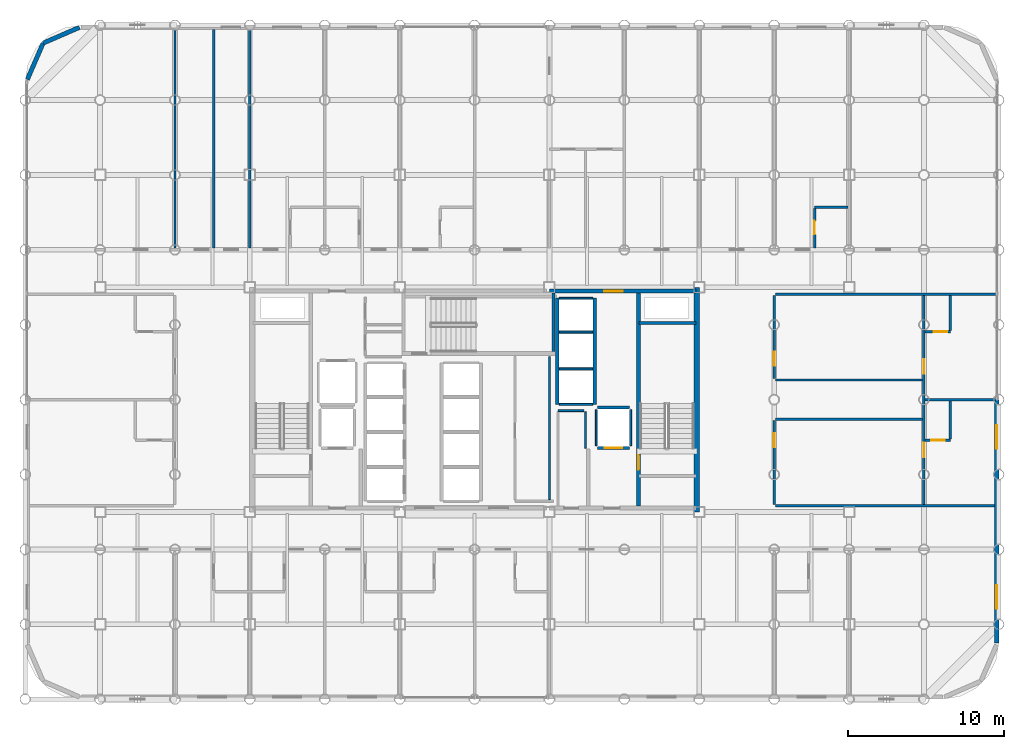
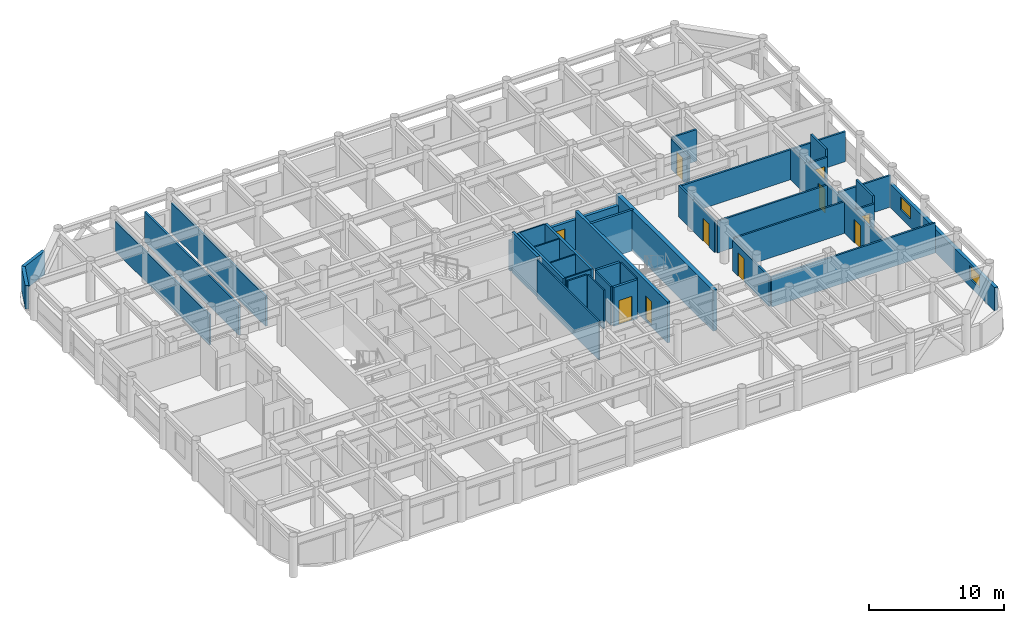
# One storey, part 20 of 22: 38 walls, 10 doors, 2 windows, 12 openings.
"""IFC4 building model written with IfcOpenShell, lengths in metres."""

from ifc_helpers import new_model, si_unit, direction, frame, frame_2d, origin, place, context, subcontext, project, spatial, rectangle, extrude, material, layer, layer_set, type_object, element, fill, save


model = new_model("IFC4")

# Units and contexts
model_context = context("Model", 3, precision=1e-05, world=origin(), true_north=direction((0.0, 1.0)))
body_context = subcontext(model_context, "Body", "Model", "MODEL_VIEW")
ifc_project = project(units=[si_unit("LENGTHUNIT", "METRE"), si_unit("AREAUNIT", "SQUARE_METRE"), si_unit("VOLUMEUNIT", "CUBIC_METRE"), si_unit("PLANEANGLEUNIT", "RADIAN"), si_unit("MASSUNIT", "GRAM", prefix="KILO")], contexts=[model_context])

# Site, building, storey
site_placement = place(None, origin())
site = spatial("IfcSite", under=ifc_project, at=site_placement, CompositionType="ELEMENT")
building_placement = place(site_placement, origin())
building = spatial("IfcBuilding", under=site, at=building_placement, Name="Kallvorn Hotel Tower", CompositionType="ELEMENT")
storey_placement = place(building_placement, frame((0.0, 0.0, 113.699951171875)))
storey = spatial("IfcBuildingStorey", under=building, at=storey_placement, Name="L27", CompositionType="ELEMENT", Elevation=113.699951171875)

# Walls
ifc_material_1 = material(Name="Concrete C50/60", Category="concrete")
ifc_layer_1 = layer(ifc_material_1, 0.35009765625)
ifc_layer_set_1 = layer_set([ifc_layer_1], Name="WL_CORE_350")
wall_type_1 = type_object("IfcWallType", Name="WL_CORE_350", PredefinedType="SHEAR", material=ifc_layer_set_1)
wall_1_placement = place(storey_placement, frame((14.239990234375, -7.199951171875, -0.179931640625), z_axis=(0.0, 0.0, 1.0), x_axis=(0.0, 1.0, 0.0)))
element("IfcWall", 1, at=wall_1_placement, inside=storey, type_object=wall_type_1, Name="L27 Core East Shear Wall", PredefinedType="SHEAR", context=body_context, shape_type="SweptSolid", body=[
    extrude(rectangle(XDim=14.39990234375, YDim=0.35009765625, at=frame_2d((7.199951171875, 0.0))), origin(), (0.0, 0.0, 1.0), 3.699951171875),
])
ifc_material_2 = material(Name="Fire-rated double-layer acoustic gypsum drywall EI 60")
ifc_layer_2 = layer(ifc_material_2, 0.159912109375)
ifc_layer_set_2 = layer_set([ifc_layer_2], Name="WL_DEMISE_160")
wall_type_2 = type_object("IfcWallType", Name="WL_DEMISE_160", PredefinedType="PARTITIONING", material=ifc_layer_set_2)
wall_2_placement = place(storey_placement, frame((19.280029296875, -6.800048828125, 0.0), z_axis=(0.0, 0.0, 1.0), x_axis=(1.0, 0.0, 0.0)))
element("IfcWall", 2, at=wall_2_placement, inside=storey, type_object=wall_type_2, Name="L27 Suite 2703 E Loggia King Room Partition", PredefinedType="PARTITIONING", context=body_context, shape_type="SweptSolid", body=[
    extrude(rectangle(XDim=14.030029296875, YDim=0.159912109375, at=frame_2d((7.01513671875, 0.0))), origin(), (0.0, 0.0, 1.0), 2.719970703125),
])

# Wall, opening, door
wall_3_placement = place(storey_placement, frame((28.8798828125, -2.60009765625, 0.0), z_axis=(0.0, 0.0, 1.0), x_axis=(1.0, 0.0, 0.0)))
wall_3 = element("IfcWall", 3, at=wall_3_placement, inside=storey, type_object=wall_type_2, Name="L27 Suite 2703 E Loggia King Room Partition", PredefinedType="PARTITIONING", context=body_context, shape_type="SweptSolid", body=[
    extrude(rectangle(XDim=1.6201171875, YDim=0.159912109375, at=frame_2d((0.81005859375, 0.0))), origin(), (0.0, 0.0, 1.0), 2.8701171875),
])
opening_1_placement = place(wall_3_placement, frame((0.3798828125, 0.0, 0.0)))
opening_1 = element("IfcOpeningElement", 4, at=opening_1_placement, cuts=wall_3, Name="Opening BD-I", PredefinedType="OPENING", context=body_context, shape_type="SweptSolid", body=[
    extrude(rectangle(XDim=0.860107421875, YDim=2.10009765625, at=frame_2d((0.43017578125, 1.050048828125))), frame((0.0, 0.094970703125, 0.0), z_axis=(0.0, -1.0, 0.0), x_axis=(1.0, 0.0, 0.0)), (0.0, 0.0, 1.0), 0.18994140625),
])
ifc_material_3 = material(Name="Solid-core walnut veneer fire-rated timber door leaf", Category="wood")
door_type_1 = type_object("IfcDoorType", Name="DR_BATH_860x2100", OperationType="NOTDEFINED", PredefinedType="DOOR", material=ifc_material_3)
door_1_placement = place(opening_1_placement, origin())
door_1 = element("IfcDoor", 5, at=door_1_placement, inside=storey, type_object=door_type_1, Name="L27 Suite 2703 En-Suite Bathroom Door", OperationType="SINGLE_SWING_LEFT", OverallHeight=2.10009765625, OverallWidth=0.860107421875, PredefinedType="DOOR", context=body_context, shape_type="SweptSolid", body=[
    extrude(rectangle(XDim=0.860107421875, YDim=2.10009765625, at=frame_2d((0.43017578125, 1.050048828125))), frame((0.0, 0.02490234375, 0.0), z_axis=(0.0, -1.0, 0.0), x_axis=(1.0, 0.0, 0.0)), (0.0, 0.0, 1.0), 0.050048828125),
])
fill(opening_1, door_1)

# Wall
wall_4_placement = place(storey_placement, frame((28.8798828125, 0.0, 0.0), z_axis=(0.0, 0.0, 1.0), x_axis=(1.0, 0.0, 0.0)))
element("IfcWall", 6, at=wall_4_placement, inside=storey, type_object=wall_type_2, Name="L27 Suite 2704 E Andean Twin Room Partition", PredefinedType="PARTITIONING", context=body_context, shape_type="SweptSolid", body=[
    extrude(rectangle(XDim=4.550048828125, YDim=0.159912109375, at=frame_2d((2.27490234375, 0.0))), origin(), (0.0, 0.0, 1.0), 2.8701171875),
])

# Wall, opening, door
wall_5_placement = place(storey_placement, frame((28.8798828125, 4.35009765625, 0.0), z_axis=(0.0, 0.0, 1.0), x_axis=(1.0, 0.0, 0.0)))
wall_5 = element("IfcWall", 7, at=wall_5_placement, inside=storey, type_object=wall_type_2, Name="L27 Suite 2704 E Andean Twin Room Partition", PredefinedType="PARTITIONING", context=body_context, shape_type="SweptSolid", body=[
    extrude(rectangle(XDim=1.6201171875, YDim=0.159912109375, at=frame_2d((0.81005859375, 0.0))), origin(), (0.0, 0.0, 1.0), 2.8701171875),
])
opening_2_placement = place(wall_5_placement, frame((0.5400390625, 0.0, 0.0)))
opening_2 = element("IfcOpeningElement", 8, at=opening_2_placement, cuts=wall_5, Name="Opening BD-I", PredefinedType="OPENING", context=body_context, shape_type="SweptSolid", body=[
    extrude(rectangle(XDim=0.860107421875, YDim=2.10009765625, at=frame_2d((0.43017578125, 1.050048828125))), frame((0.0, 0.094970703125, 0.0), z_axis=(0.0, -1.0, 0.0), x_axis=(1.0, 0.0, 0.0)), (0.0, 0.0, 1.0), 0.18994140625),
])
door_2_placement = place(opening_2_placement, origin())
door_2 = element("IfcDoor", 9, at=door_2_placement, inside=storey, type_object=door_type_1, Name="L27 Suite 2704 En-Suite Bathroom Door", OperationType="SINGLE_SWING_RIGHT", OverallHeight=2.10009765625, OverallWidth=0.860107421875, PredefinedType="DOOR", context=body_context, shape_type="SweptSolid", body=[
    extrude(rectangle(XDim=0.860107421875, YDim=2.10009765625, at=frame_2d((0.43017578125, 1.050048828125))), frame((0.0, 0.02490234375, 0.0), z_axis=(0.0, -1.0, 0.0), x_axis=(1.0, 0.0, 0.0)), (0.0, 0.0, 1.0), 0.050048828125),
])
fill(opening_2, door_2)

# Walls
wall_6_placement = place(storey_placement, frame((19.280029296875, 6.75830078125, 0.0), z_axis=(0.0, 0.0, 1.0), x_axis=(1.0, 0.0, 0.0)))
element("IfcWall", 10, at=wall_6_placement, inside=storey, type_object=wall_type_2, Name="L27 Suite 2704 E Andean Twin Room Partition", PredefinedType="PARTITIONING", context=body_context, shape_type="SweptSolid", body=[
    extrude(rectangle(XDim=14.14990234375, YDim=0.159912109375, at=frame_2d((7.074951171875, 0.0))), origin(), (0.0, 0.0, 1.0), 2.719970703125),
])
wall_7_placement = place(storey_placement, frame((21.7900390625, 12.320068359375, 0.0), z_axis=(0.0, 0.0, 1.0), x_axis=(1.0, 0.0, 0.0)))
element("IfcWall", 11, at=wall_7_placement, inside=storey, type_object=wall_type_2, Name="L27 Suite 2715 Standard Twin Room Partition", PredefinedType="PARTITIONING", context=body_context, shape_type="SweptSolid", body=[
    extrude(rectangle(XDim=2.1298828125, YDim=0.159912109375, at=frame_2d((1.06494140625, 0.0))), origin(), (0.0, 0.0, 1.0), 2.8701171875),
])
wall_8_placement = place(storey_placement, frame((-14.39990234375, 9.719970703125, 0.0), z_axis=(0.0, 0.0, 1.0), x_axis=(0.0, 1.0, 0.0)))
element("IfcWall", 12, at=wall_8_placement, inside=storey, type_object=wall_type_2, Name="L27 Suite 2711 Standard Twin Room Partition", PredefinedType="PARTITIONING", context=body_context, shape_type="SweptSolid", body=[
    extrude(rectangle(XDim=13.989990234375, YDim=0.159912109375, at=frame_2d((6.9951171875, 0.0))), origin(), (0.0, 0.0, 1.0), 2.719970703125),
])

# Wall, opening, door
wall_9_placement = place(storey_placement, frame((21.7900390625, 9.719970703125, 0.0), z_axis=(0.0, 0.0, 1.0), x_axis=(0.0, 1.0, 0.0)))
wall_9 = element("IfcWall", 13, at=wall_9_placement, inside=storey, type_object=wall_type_2, Name="L27 Suite 2715 Standard Twin Room Partition", PredefinedType="PARTITIONING", context=body_context, shape_type="SweptSolid", body=[
    extrude(rectangle(XDim=2.51513671875, YDim=0.159912109375, at=frame_2d((1.257568359375, 0.0))), origin(), (0.0, 0.0, 1.0), 2.719970703125),
])
opening_3_placement = place(wall_9_placement, frame((0.8701171875, 0.0, 0.0)))
opening_3 = element("IfcOpeningElement", 14, at=opening_3_placement, cuts=wall_9, Name="Opening BD-I", PredefinedType="OPENING", context=body_context, shape_type="SweptSolid", body=[
    extrude(rectangle(XDim=0.860107421875, YDim=2.10009765625, at=frame_2d((0.43017578125, 1.050048828125))), frame((0.0, 0.094970703125, 0.0), z_axis=(0.0, -1.0, 0.0), x_axis=(1.0, 0.0, 0.0)), (0.0, 0.0, 1.0), 0.18994140625),
])
door_3_placement = place(opening_3_placement, origin())
door_3 = element("IfcDoor", 15, at=door_3_placement, inside=storey, type_object=door_type_1, Name="L27 Suite 2715 En-Suite Bathroom Door", OperationType="SINGLE_SWING_LEFT", OverallHeight=2.10009765625, OverallWidth=0.860107421875, PredefinedType="DOOR", context=body_context, shape_type="SweptSolid", body=[
    extrude(rectangle(XDim=0.860107421875, YDim=2.10009765625, at=frame_2d((0.43017578125, 1.050048828125))), frame((0.0, 0.02490234375, 0.0), z_axis=(0.0, -1.0, 0.0), x_axis=(1.0, 0.0, 0.0)), (0.0, 0.0, 1.0), 0.050048828125),
])
fill(opening_3, door_3)

# Wall, openings, doors
wall_10_placement = place(storey_placement, frame((28.800048828125, -6.715087890625, 0.0), z_axis=(0.0, 0.0, 1.0), x_axis=(0.0, 1.0, 0.0)))
wall_10 = element("IfcWall", 16, at=wall_10_placement, inside=storey, type_object=wall_type_2, Name="L27 Suite 2703 E Loggia King Room Partition", PredefinedType="PARTITIONING", context=body_context, shape_type="SweptSolid", body=[
    extrude(rectangle(XDim=13.388427734375, YDim=0.159912109375, at=frame_2d((6.6943359375, 0.0))), origin(), (0.0, 0.0, 1.0), 2.8701171875),
])
opening_4_placement = place(wall_10_placement, frame((3.034912109375, 0.0, 0.0)))
opening_4 = element("IfcOpeningElement", 17, at=opening_4_placement, cuts=wall_10, Name="Opening GD1", PredefinedType="OPENING", context=body_context, shape_type="SweptSolid", body=[
    extrude(rectangle(XDim=0.919921875, YDim=2.14990234375, at=frame_2d((0.4599609375, 1.074951171875))), frame((0.0, 0.094970703125, 0.0), z_axis=(0.0, -1.0, 0.0), x_axis=(1.0, 0.0, 0.0)), (0.0, 0.0, 1.0), 0.18994140625),
])
opening_5_placement = place(wall_10_placement, frame((8.385009765625, 0.0, 0.0)))
opening_5 = element("IfcOpeningElement", 18, at=opening_5_placement, cuts=wall_10, Name="Opening GD1", PredefinedType="OPENING", context=body_context, shape_type="SweptSolid", body=[
    extrude(rectangle(XDim=0.919921875, YDim=2.14990234375, at=frame_2d((0.4599609375, 1.074951171875))), frame((0.0, 0.094970703125, 0.0), z_axis=(0.0, -1.0, 0.0), x_axis=(1.0, 0.0, 0.0)), (0.0, 0.0, 1.0), 0.18994140625),
])
ifc_material_4 = material(Name="Solid-core walnut veneer fire-rated timber door leaf", Category="wood")
door_type_2 = type_object("IfcDoorType", Name="DR_GUEST_920x2150", OperationType="NOTDEFINED", PredefinedType="DOOR", material=ifc_material_4)
door_4_placement = place(opening_4_placement, origin())
door_4 = element("IfcDoor", 19, at=door_4_placement, inside=storey, type_object=door_type_2, Name="L27 Suite 2703 E Loggia King Room Door", OperationType="SINGLE_SWING_RIGHT", OverallHeight=2.14990234375, OverallWidth=0.919921875, PredefinedType="DOOR", context=body_context, shape_type="SweptSolid", body=[
    extrude(rectangle(XDim=0.919921875, YDim=2.14990234375, at=frame_2d((0.4599609375, 1.074951171875))), frame((0.0, 0.02490234375, 0.0), z_axis=(0.0, -1.0, 0.0), x_axis=(1.0, 0.0, 0.0)), (0.0, 0.0, 1.0), 0.050048828125),
])
fill(opening_4, door_4)
door_5_placement = place(opening_5_placement, origin())
door_5 = element("IfcDoor", 20, at=door_5_placement, inside=storey, type_object=door_type_2, Name="L27 Suite 2704 E Andean Twin Room Door", OperationType="SINGLE_SWING_LEFT", OverallHeight=2.14990234375, OverallWidth=0.919921875, PredefinedType="DOOR", context=body_context, shape_type="SweptSolid", body=[
    extrude(rectangle(XDim=0.919921875, YDim=2.14990234375, at=frame_2d((0.4599609375, 1.074951171875))), frame((0.0, 0.02490234375, 0.0), z_axis=(0.0, -1.0, 0.0), x_axis=(1.0, 0.0, 0.0)), (0.0, 0.0, 1.0), 0.050048828125),
])
fill(opening_5, door_5)

# Walls
wall_11_placement = place(storey_placement, frame((30.5, -2.514892578125, 0.0), z_axis=(0.0, 0.0, 1.0), x_axis=(0.0, 1.0, 0.0)))
element("IfcWall", 21, at=wall_11_placement, inside=storey, type_object=wall_type_2, Name="L27 Suite 2703 E Loggia King Room Partition", PredefinedType="PARTITIONING", context=body_context, shape_type="SweptSolid", body=[
    extrude(rectangle(XDim=2.414794921875, YDim=0.159912109375, at=frame_2d((1.20751953125, 0.0))), origin(), (0.0, 0.0, 1.0), 3.52001953125),
])
wall_12_placement = place(storey_placement, frame((30.5, 4.43505859375, 0.0), z_axis=(0.0, 0.0, 1.0), x_axis=(0.0, 1.0, 0.0)))
element("IfcWall", 22, at=wall_12_placement, inside=storey, type_object=wall_type_2, Name="L27 Suite 2704 E Andean Twin Room Partition", PredefinedType="PARTITIONING", context=body_context, shape_type="SweptSolid", body=[
    extrude(rectangle(XDim=2.23828125, YDim=0.159912109375, at=frame_2d((1.119140625, 0.0))), origin(), (0.0, 0.0, 1.0), 3.52001953125),
])
ifc_material_5 = material(Name="Precast basalt-clad insulated concrete wall C40/50", Category="masonry")
ifc_layer_3 = layer(ifc_material_5, 0.280029296875)
ifc_layer_set_3 = layer_set([ifc_layer_3], Name="WL_EXT_LOGGIA_280")
wall_type_3 = type_object("IfcWallType", Name="WL_EXT_LOGGIA_280", PredefinedType="SOLIDWALL", material=ifc_layer_set_3)
wall_13_placement = place(storey_placement, frame((-25.32080078125, 23.85791015625, 0.0), z_axis=(0.0, 0.0, 1.0), x_axis=(-0.917060872934, -0.398747232384, 0.0)))
element("IfcWall", 23, at=wall_13_placement, inside=storey, type_object=wall_type_3, Name="L27 Rounded Corner Exterior Wall NW1", PredefinedType="SOLIDWALL", context=body_context, shape_type="SweptSolid", body=[
    extrude(rectangle(XDim=2.5361328125, YDim=0.280029296875, at=frame_2d((1.26806640625, 0.0))), origin(), (0.0, 0.0, 1.0), 2.1201171875),
])
wall_14_placement = place(storey_placement, frame((-27.646484375, 22.8466796875, 0.0), z_axis=(0.0, 0.0, 1.0), x_axis=(-0.398792985289, -0.917040977756, 0.0)))
element("IfcWall", 24, at=wall_14_placement, inside=storey, type_object=wall_type_3, Name="L27 Rounded Corner Exterior Wall NW2", PredefinedType="SOLIDWALL", context=body_context, shape_type="SweptSolid", body=[
    extrude(rectangle(XDim=2.536376953125, YDim=0.280029296875, at=frame_2d((1.26806640625, 0.0))), origin(), (0.0, 0.0, 1.0), 2.1201171875),
])

# Wall, openings, windows
wall_15_placement = place(storey_placement, frame((33.4599609375, -15.60009765625, 0.0), z_axis=(0.0, 0.0, 1.0), x_axis=(0.0, 1.0, 0.0)))
wall_15 = element("IfcWall", 25, at=wall_15_placement, inside=storey, type_object=wall_type_3, Name="L27 Exterior Envelope Wall EW-L27-ES", PredefinedType="SOLIDWALL", context=body_context, shape_type="SweptSolid", body=[
    extrude(rectangle(XDim=15.580078125, YDim=0.280029296875, at=frame_2d((7.7900390625, 0.0))), origin(), (0.0, 0.0, 1.0), 2.1201171875),
])
opening_6_placement = place(wall_15_placement, frame((2.18994140625, 0.0, 0.75)))
opening_6 = element("IfcOpeningElement", 26, at=opening_6_placement, cuts=wall_15, Name="Opening W05A", PredefinedType="OPENING", context=body_context, shape_type="SweptSolid", body=[
    extrude(rectangle(XDim=1.5, YDim=1.14990234375, at=frame_2d((0.75, 0.574951171875))), frame((0.0, 0.155029296875, 0.0), z_axis=(0.0, -1.0, 0.0), x_axis=(1.0, 0.0, 0.0)), (0.0, 0.0, 1.0), 0.31005859375),
])
opening_7_placement = place(wall_15_placement, frame((12.449951171875, 0.0, 0.75)))
opening_7 = element("IfcOpeningElement", 27, at=opening_7_placement, cuts=wall_15, Name="Opening W05A", PredefinedType="OPENING", context=body_context, shape_type="SweptSolid", body=[
    extrude(rectangle(XDim=1.5, YDim=1.14990234375, at=frame_2d((0.75, 0.574951171875))), frame((0.0, 0.155029296875, 0.0), z_axis=(0.0, -1.0, 0.0), x_axis=(1.0, 0.0, 0.0)), (0.0, 0.0, 1.0), 0.31005859375),
])
ifc_material_6 = material(Name="Double-glazed low-e solar-control dark glass", Category="glass")
window_type = type_object("IfcWindowType", Name="WN_HTL_1500x1150", PartitioningType="SINGLE_PANEL", PredefinedType="WINDOW", material=ifc_material_6)
window_1_placement = place(opening_6_placement, origin())
window_1 = element("IfcWindow", 28, at=window_1_placement, inside=storey, type_object=window_type, Name="L27 Flank Wing Window 02", OverallHeight=1.14990234375, OverallWidth=1.5, PartitioningType="SINGLE_PANEL", PredefinedType="WINDOW", context=body_context, shape_type="SweptSolid", body=[
    extrude(rectangle(XDim=1.5, YDim=1.14990234375, at=frame_2d((0.75, 0.574951171875))), frame((0.0, 0.030029296875, 0.0), z_axis=(0.0, -1.0, 0.0), x_axis=(1.0, 0.0, 0.0)), (0.0, 0.0, 1.0), 0.06005859375),
])
fill(opening_6, window_1)
window_2_placement = place(opening_7_placement, origin())
window_2 = element("IfcWindow", 29, at=window_2_placement, inside=storey, type_object=window_type, Name="L27 Flank Wing Window 04", OverallHeight=1.14990234375, OverallWidth=1.5, PartitioningType="SINGLE_PANEL", PredefinedType="WINDOW", context=body_context, shape_type="SweptSolid", body=[
    extrude(rectangle(XDim=1.5, YDim=1.14990234375, at=frame_2d((0.75, 0.574951171875))), frame((0.0, 0.030029296875, 0.0), z_axis=(0.0, -1.0, 0.0), x_axis=(1.0, 0.0, 0.0)), (0.0, 0.0, 1.0), 0.06005859375),
])
fill(opening_7, window_2)

# Walls
ifc_material_7 = material(Name="Concrete C40/50", Category="concrete")
ifc_layer_4 = layer(ifc_material_7, 0.199951171875)
ifc_layer_set_4 = layer_set([ifc_layer_4], Name="WL_HOIST_200")
wall_type_4 = type_object("IfcWallType", Name="WL_HOIST_200", PredefinedType="SOLIDWALL", material=ifc_layer_set_4)
wall_16_placement = place(storey_placement, frame((10.550048828125, 4.89990234375, -0.179931640625), z_axis=(0.0, 0.0, 1.0), x_axis=(1.0, 0.0, 0.0)))
element("IfcWall", 30, at=wall_16_placement, inside=storey, type_object=wall_type_4, Name="L27 Stair ST2 North Wall", PredefinedType="SOLIDWALL", context=body_context, shape_type="SweptSolid", body=[
    extrude(rectangle(XDim=3.64990234375, YDim=0.199951171875, at=frame_2d((1.824951171875, 0.0))), origin(), (0.0, 0.0, 1.0), 3.699951171875),
])
wall_17_placement = place(storey_placement, frame((5.06005859375, 3.080078125, -0.179931640625), z_axis=(0.0, 0.0, 1.0), x_axis=(0.0, 1.0, 0.0)))
element("IfcWall", 31, at=wall_17_placement, inside=storey, type_object=wall_type_4, Name="L27 Stair ST3 East Wall", PredefinedType="SOLIDWALL", context=body_context, shape_type="SweptSolid", body=[
    extrude(rectangle(XDim=3.739990234375, YDim=0.199951171875, at=frame_2d((1.8701171875, 0.0))), origin(), (0.0, 0.0, 1.0), 3.699951171875),
])
for number, where, z_axis, x_axis, name in (
    (32, (7.699951171875, -0.300048828125, 0.0), (0.0, 0.0, 1.0), (0.0, 1.0, 0.0), "L27 Lift Bank OBS Landing Wall"),
    (33, (5.300048828125, -0.300048828125, 0.0), (0.0, 0.0, 1.0), (0.0, 1.0, 0.0), "L27 Lift Bank OBS Rear Shaft Wall"),
):
    element("IfcWall", number, at=place(storey_placement, frame(where, z_axis=z_axis, x_axis=x_axis)), inside=storey, type_object=wall_type_4, Name=name, PredefinedType="SOLIDWALL", context=body_context, shape_type="SweptSolid", body=[
        extrude(rectangle(XDim=6.800048828125, YDim=0.199951171875, at=frame_2d((3.39990234375, 0.0))), origin(), (0.0, 0.0, 1.0), 3.52001953125),
    ])

# Wall, opening, door
wall_18_placement = place(storey_placement, frame((7.8798828125, -3.10009765625, 0.0), z_axis=(0.0, 0.0, 1.0), x_axis=(1.0, 0.0, 0.0)))
wall_18 = element("IfcWall", 34, at=wall_18_placement, inside=storey, type_object=wall_type_4, Name="L27 FL-2 Landing Wall", PredefinedType="SOLIDWALL", context=body_context, shape_type="SweptSolid", body=[
    extrude(rectangle(XDim=2.0400390625, YDim=0.199951171875, at=frame_2d((1.02001953125, 0.0))), origin(), (0.0, 0.0, 1.0), 3.52001953125),
])
opening_8_placement = place(wall_18_placement, frame((0.469970703125, 0.0, 0.0)))
opening_8 = element("IfcOpeningElement", 35, at=opening_8_placement, cuts=wall_18, Name="Opening LD-FL-2", PredefinedType="OPENING", context=body_context, shape_type="SweptSolid", body=[
    extrude(rectangle(XDim=1.10009765625, YDim=2.199951171875, at=frame_2d((0.550048828125, 1.10009765625))), frame((0.0, 0.114990234375, 0.0), z_axis=(0.0, -1.0, 0.0), x_axis=(1.0, 0.0, 0.0)), (0.0, 0.0, 1.0), 0.22998046875),
])
ifc_material_8 = material(Name="Brushed stainless-steel automatic sliding lift landing door", Category="steel")
door_type_3 = type_object("IfcDoorType", Name="LD_PASS_1100x2200", OperationType="SLIDING_TO_LEFT", PredefinedType="DOOR", material=ifc_material_8)
door_6_placement = place(opening_8_placement, origin())
door_6 = element("IfcDoor", 36, at=door_6_placement, inside=storey, type_object=door_type_3, Name="L27 Lift Landing Sliding Door LD-FL-2", OperationType="SLIDING_TO_LEFT", OverallHeight=2.199951171875, OverallWidth=1.10009765625, PredefinedType="DOOR", context=body_context, shape_type="SweptSolid", body=[
    extrude(rectangle(XDim=1.10009765625, YDim=2.199951171875, at=frame_2d((0.550048828125, 1.10009765625))), frame((0.0, 0.02490234375, 0.0), z_axis=(0.0, -1.0, 0.0), x_axis=(1.0, 0.0, 0.0)), (0.0, 0.0, 1.0), 0.050048828125),
])
fill(opening_8, door_6)

# Walls
wall_19_placement = place(storey_placement, frame((7.8798828125, -0.5, 0.0), z_axis=(0.0, 0.0, 1.0), x_axis=(1.0, 0.0, 0.0)))
element("IfcWall", 37, at=wall_19_placement, inside=storey, type_object=wall_type_4, Name="L27 FL-2 Rear Shaft Wall", PredefinedType="SOLIDWALL", context=body_context, shape_type="SweptSolid", body=[
    extrude(rectangle(XDim=2.0400390625, YDim=0.199951171875, at=frame_2d((1.02001953125, 0.0))), origin(), (0.0, 0.0, 1.0), 3.52001953125),
])
ifc_material_9 = material(Name="Fire-rated double-layer acoustic gypsum drywall EI 60")
ifc_layer_5 = layer(ifc_material_9, 0.1201171875)
ifc_layer_set_5 = layer_set([ifc_layer_5], Name="WL_INT_120")
wall_type_5 = type_object("IfcWallType", Name="WL_INT_120", PredefinedType="PARTITIONING", material=ifc_layer_set_5)
for number, where, z_axis, x_axis, name in (
    (38, (5.43994140625, -0.300048828125, 0.0), (0.0, 0.0, 1.0), (1.0, 0.0, 0.0), "L27 Lift Bank OBS South Closure Wall"),
    (39, (5.43994140625, 1.97509765625, 0.0), (0.0, 0.0, 1.0), (1.0, 0.0, 0.0), "L27 OB-01 Hoistway Divider"),
    (40, (5.43994140625, 4.324951171875, 0.0), (0.0, 0.0, 1.0), (1.0, 0.0, 0.0), "L27 OB-02 Hoistway Divider"),
    (41, (5.43994140625, 6.5, 0.0), (0.0, 0.0, 1.0), (1.0, 0.0, 0.0), "L27 OB-03 Hoistway Divider"),
):
    element("IfcWall", number, at=place(storey_placement, frame(where, z_axis=z_axis, x_axis=x_axis)), inside=storey, type_object=wall_type_5, Name=name, PredefinedType="PARTITIONING", context=body_context, shape_type="SweptSolid", body=[
        extrude(rectangle(XDim=2.1201171875, YDim=0.1201171875, at=frame_2d((1.06005859375, 0.0))), origin(), (0.0, 0.0, 1.0), 3.52001953125),
    ])
for number, where, z_axis, x_axis, name in (
    (42, (7.800048828125, -2.9599609375, 0.0), (0.0, 0.0, 1.0), (0.0, 1.0, 0.0), "L27 FL-2 West Shaft Wall"),
    (43, (10.0, -2.9599609375, 0.0), (0.0, 0.0, 1.0), (0.0, 1.0, 0.0), "L27 FL-2 East Shaft Wall"),
):
    element("IfcWall", number, at=place(storey_placement, frame(where, z_axis=z_axis, x_axis=x_axis)), inside=storey, type_object=wall_type_5, Name=name, PredefinedType="PARTITIONING", context=body_context, shape_type="SweptSolid", body=[
        extrude(rectangle(XDim=2.320068359375, YDim=0.1201171875, at=frame_2d((1.16015625, 0.0))), origin(), (0.0, 0.0, 1.0), 3.52001953125),
    ])
wall_20_placement = place(storey_placement, frame((5.35009765625, -0.699951171875, 0.0), z_axis=(0.0, 0.0, 1.0), x_axis=(1.0, 0.0, 0.0)))
element("IfcWall", 44, at=wall_20_placement, inside=storey, type_object=wall_type_5, Name="L27 Core Utility and Meter Room Partition", PredefinedType="PARTITIONING", context=body_context, shape_type="SweptSolid", body=[
    extrude(rectangle(XDim=1.64990234375, YDim=0.1201171875, at=frame_2d((0.824951171875, 0.0))), origin(), (0.0, 0.0, 1.0), 3.52001953125),
])
wall_21_placement = place(storey_placement, frame((4.800048828125, -6.4150390625, 0.0), z_axis=(0.0, 0.0, 1.0), x_axis=(0.0, 1.0, 0.0)))
element("IfcWall", 45, at=wall_21_placement, inside=storey, type_object=wall_type_5, Name="L27 East Core Consolidated Linen and Supply Store Partition", PredefinedType="PARTITIONING", context=body_context, shape_type="SweptSolid", body=[
    extrude(rectangle(XDim=9.1650390625, YDim=0.1201171875, at=frame_2d((4.58251953125, 0.0))), origin(), (0.0, 0.0, 1.0), 3.52001953125),
])
wall_22_placement = place(storey_placement, frame((7.106689453125, -3.110107421875, 0.0), z_axis=(0.0, 0.0, 1.0), x_axis=(0.0, 1.0, 0.0)))
element("IfcWall", 46, at=wall_22_placement, inside=storey, type_object=wall_type_5, Name="L27 Core Utility and Meter Room Partition", PredefinedType="PARTITIONING", context=body_context, shape_type="SweptSolid", body=[
    extrude(rectangle(XDim=2.3251953125, YDim=0.1201171875, at=frame_2d((1.16259765625, 0.0))), origin(), (0.0, 0.0, 1.0), 3.52001953125),
])
ifc_material_10 = material(Name="Fire-rated double-layer acoustic gypsum drywall EI 60")
ifc_layer_6 = layer(ifc_material_10, 0.14990234375)
ifc_layer_set_6 = layer_set([ifc_layer_6], Name="WL_PART_150")
wall_type_6 = type_object("IfcWallType", Name="WL_PART_150", PredefinedType="PARTITIONING", material=ifc_layer_set_6)
for number, where, z_axis, x_axis, name in (
    (47, (19.280029296875, -1.260009765625, 0.0), (0.0, 0.0, 1.0), (1.0, 0.0, 0.0), "L27 L27 East Inner Club Bar Partition"),
    (48, (19.280029296875, 1.260009765625, 0.0), (0.0, 0.0, 1.0), (1.0, 0.0, 0.0), "L27 L27 East Inner Screening Salon Partition"),
):
    element("IfcWall", number, at=place(storey_placement, frame(where, z_axis=z_axis, x_axis=x_axis)), inside=storey, type_object=wall_type_6, Name=name, PredefinedType="PARTITIONING", context=body_context, shape_type="SweptSolid", body=[
        extrude(rectangle(XDim=9.43994140625, YDim=0.14990234375, at=frame_2d((4.719970703125, 0.0))), origin(), (0.0, 0.0, 1.0), 2.8701171875),
    ])
for number, where, z_axis, x_axis, name in (
    (49, (-19.199951171875, 9.719970703125, 0.0), (0.0, 0.0, 1.0), (0.0, 1.0, 0.0), "L27 Housekeeping and Linen Room Partition"),
    (50, (-16.705078125, 9.719970703125, 0.0), (0.0, 0.0, 1.0), (0.0, 1.0, 0.0), "L27 Guest Tea and Refreshment Bar Partition"),
):
    element("IfcWall", number, at=place(storey_placement, frame(where, z_axis=z_axis, x_axis=x_axis)), inside=storey, type_object=wall_type_6, Name=name, PredefinedType="PARTITIONING", context=body_context, shape_type="SweptSolid", body=[
        extrude(rectangle(XDim=13.989990234375, YDim=0.14990234375, at=frame_2d((6.9951171875, 0.0))), origin(), (0.0, 0.0, 1.0), 2.719970703125),
    ])

# Wall, opening, door
wall_23_placement = place(storey_placement, frame((19.199951171875, -6.715087890625, 0.0), z_axis=(0.0, 0.0, 1.0), x_axis=(0.0, 1.0, 0.0)))
wall_23 = element("IfcWall", 51, at=wall_23_placement, inside=storey, type_object=wall_type_6, Name="L27 L27 East Inner Club Bar Partition", PredefinedType="PARTITIONING", context=body_context, shape_type="SweptSolid", body=[
    extrude(rectangle(XDim=5.3701171875, YDim=0.14990234375, at=frame_2d((2.68505859375, 0.0))), origin(), (0.0, 0.0, 1.0), 2.719970703125),
])
opening_9_placement = place(wall_23_placement, frame((3.66015625, 0.0, 0.0)))
opening_9 = element("IfcOpeningElement", 52, at=opening_9_placement, cuts=wall_23, Name="Opening SVD1", PredefinedType="OPENING", context=body_context, shape_type="SweptSolid", body=[
    extrude(rectangle(XDim=0.89990234375, YDim=2.10009765625, at=frame_2d((0.449951171875, 1.050048828125))), frame((0.0, 0.08984375, 0.0), z_axis=(0.0, -1.0, 0.0), x_axis=(1.0, 0.0, 0.0)), (0.0, 0.0, 1.0), 0.179931640625),
])
ifc_material_11 = material(Name="Galvanised painted steel fire-rated door assembly", Category="steel")
door_type_4 = type_object("IfcDoorType", Name="DR_SERV_900x2100", OperationType="NOTDEFINED", PredefinedType="DOOR", material=ifc_material_11)
door_7_placement = place(opening_9_placement, origin())
door_7 = element("IfcDoor", 53, at=door_7_placement, inside=storey, type_object=door_type_4, Name="L27 L27 East Inner Club Bar Door", OperationType="SINGLE_SWING_RIGHT", OverallHeight=2.10009765625, OverallWidth=0.89990234375, PredefinedType="DOOR", context=body_context, shape_type="SweptSolid", body=[
    extrude(rectangle(XDim=0.89990234375, YDim=2.10009765625, at=frame_2d((0.449951171875, 1.050048828125))), frame((0.0, 0.02490234375, 0.0), z_axis=(0.0, -1.0, 0.0), x_axis=(1.0, 0.0, 0.0)), (0.0, 0.0, 1.0), 0.050048828125),
])
fill(opening_9, door_7)

wall_24_placement = place(storey_placement, frame((19.199951171875, 1.344970703125, 0.0), z_axis=(0.0, 0.0, 1.0), x_axis=(0.0, 1.0, 0.0)))
wall_24 = element("IfcWall", 54, at=wall_24_placement, inside=storey, type_object=wall_type_6, Name="L27 L27 East Inner Screening Salon Partition", PredefinedType="PARTITIONING", context=body_context, shape_type="SweptSolid", body=[
    extrude(rectangle(XDim=5.328369140625, YDim=0.14990234375, at=frame_2d((2.6640625, 0.0))), origin(), (0.0, 0.0, 1.0), 2.8701171875),
])
opening_10_placement = place(wall_24_placement, frame((0.818115234375, 0.0, 0.0)))
opening_10 = element("IfcOpeningElement", 55, at=opening_10_placement, cuts=wall_24, Name="Opening SVD1", PredefinedType="OPENING", context=body_context, shape_type="SweptSolid", body=[
    extrude(rectangle(XDim=0.89990234375, YDim=2.10009765625, at=frame_2d((0.449951171875, 1.050048828125))), frame((0.0, 0.08984375, 0.0), z_axis=(0.0, -1.0, 0.0), x_axis=(1.0, 0.0, 0.0)), (0.0, 0.0, 1.0), 0.179931640625),
])
door_8_placement = place(opening_10_placement, origin())
door_8 = element("IfcDoor", 56, at=door_8_placement, inside=storey, type_object=door_type_4, Name="L27 L27 East Inner Screening Salon Door", OperationType="SINGLE_SWING_LEFT", OverallHeight=2.10009765625, OverallWidth=0.89990234375, PredefinedType="DOOR", context=body_context, shape_type="SweptSolid", body=[
    extrude(rectangle(XDim=0.89990234375, YDim=2.10009765625, at=frame_2d((0.449951171875, 1.050048828125))), frame((0.0, 0.02490234375, 0.0), z_axis=(0.0, -1.0, 0.0), x_axis=(1.0, 0.0, 0.0)), (0.0, 0.0, 1.0), 0.050048828125),
])
fill(opening_10, door_8)

ifc_material_12 = material(Name="Concrete C40/50", Category="concrete")
ifc_layer_7 = layer(ifc_material_12, 0.25)
ifc_layer_set_7 = layer_set([ifc_layer_7], Name="WL_SHAFT_250")
wall_type_7 = type_object("IfcWallType", Name="WL_SHAFT_250", PredefinedType="SOLIDWALL", material=ifc_layer_set_7)
wall_25_placement = place(storey_placement, frame((4.800048828125, 6.949951171875, 0.0), z_axis=(0.0, 0.0, 1.0), x_axis=(1.0, 0.0, 0.0)))
wall_25 = element("IfcWall", 57, at=wall_25_placement, inside=storey, type_object=wall_type_7, Name="L27 Core North-East Wall", PredefinedType="SOLIDWALL", context=body_context, shape_type="SweptSolid", body=[
    extrude(rectangle(XDim=9.39990234375, YDim=0.25, at=frame_2d((4.699951171875, 0.0))), origin(), (0.0, 0.0, 1.0), 2.719970703125),
])
opening_11_placement = place(wall_25_placement, frame((3.5, 0.0, 0.0)))
opening_11 = element("IfcOpeningElement", 58, at=opening_11_placement, cuts=wall_25, Name="Opening FD2", PredefinedType="OPENING", context=body_context, shape_type="SweptSolid", body=[
    extrude(rectangle(XDim=1.199951171875, YDim=2.199951171875, at=frame_2d((0.60009765625, 1.10009765625))), frame((0.0, 0.139892578125, 0.0), z_axis=(0.0, -1.0, 0.0), x_axis=(1.0, 0.0, 0.0)), (0.0, 0.0, 1.0), 0.280029296875),
])
ifc_material_13 = material(Name="Galvanised painted steel fire-rated door assembly", Category="steel")
door_type_5 = type_object("IfcDoorType", Name="DR_LOBBY_1200x2200", OperationType="DOUBLE_DOOR_SINGLE_SWING", PredefinedType="DOOR", material=ifc_material_13)
door_9_placement = place(opening_11_placement, origin())
door_9 = element("IfcDoor", 59, at=door_9_placement, inside=storey, type_object=door_type_5, Name="L27 Observatory Shuttle Lobby Door", OperationType="DOUBLE_DOOR_SINGLE_SWING", OverallHeight=2.199951171875, OverallWidth=1.199951171875, PredefinedType="DOOR", context=body_context, shape_type="SweptSolid", body=[
    extrude(rectangle(XDim=1.199951171875, YDim=2.199951171875, at=frame_2d((0.60009765625, 1.10009765625))), frame((0.0, 0.02490234375, 0.0), z_axis=(0.0, -1.0, 0.0), x_axis=(1.0, 0.0, 0.0)), (0.0, 0.0, 1.0), 0.050048828125),
])
fill(opening_11, door_9)

wall_26_placement = place(storey_placement, frame((10.5, -6.820068359375, -0.179931640625), z_axis=(0.0, 0.0, 1.0), x_axis=(0.0, 1.0, 0.0)))
wall_26 = element("IfcWall", 60, at=wall_26_placement, inside=storey, type_object=wall_type_7, Name="L27 Stair ST2 Shaft Wall", PredefinedType="SOLIDWALL", context=body_context, shape_type="SweptSolid", body=[
    extrude(rectangle(XDim=13.64013671875, YDim=0.25, at=frame_2d((6.820068359375, 0.0))), origin(), (0.0, 0.0, 1.0), 3.699951171875),
])
opening_12_placement = place(wall_26_placement, frame((2.320068359375, 0.0, 0.179931640625)))
opening_12 = element("IfcOpeningElement", 61, at=opening_12_placement, cuts=wall_26, Name="Opening SD1", PredefinedType="OPENING", context=body_context, shape_type="SweptSolid", body=[
    extrude(rectangle(XDim=0.949951171875, YDim=2.14990234375, at=frame_2d((0.47509765625, 1.074951171875))), frame((0.0, 0.139892578125, 0.0), z_axis=(0.0, -1.0, 0.0), x_axis=(1.0, 0.0, 0.0)), (0.0, 0.0, 1.0), 0.280029296875),
])
ifc_material_14 = material(Name="Galvanised painted steel fire-rated door assembly", Category="steel")
door_type_6 = type_object("IfcDoorType", Name="DR_STAIR_950x2150", OperationType="NOTDEFINED", PredefinedType="DOOR", material=ifc_material_14)
door_10_placement = place(opening_12_placement, origin())
door_10 = element("IfcDoor", 62, at=door_10_placement, inside=storey, type_object=door_type_6, Name="L27 Exit Stair ST2 Fire Door", OperationType="SINGLE_SWING_RIGHT", OverallHeight=2.14990234375, OverallWidth=0.949951171875, PredefinedType="DOOR", context=body_context, shape_type="SweptSolid", body=[
    extrude(rectangle(XDim=0.949951171875, YDim=2.14990234375, at=frame_2d((0.47509765625, 1.074951171875))), frame((0.0, 0.02490234375, 0.0), z_axis=(0.0, -1.0, 0.0), x_axis=(1.0, 0.0, 0.0)), (0.0, 0.0, 1.0), 0.050048828125),
])
fill(opening_12, door_10)

save(model, "model.ifc")
